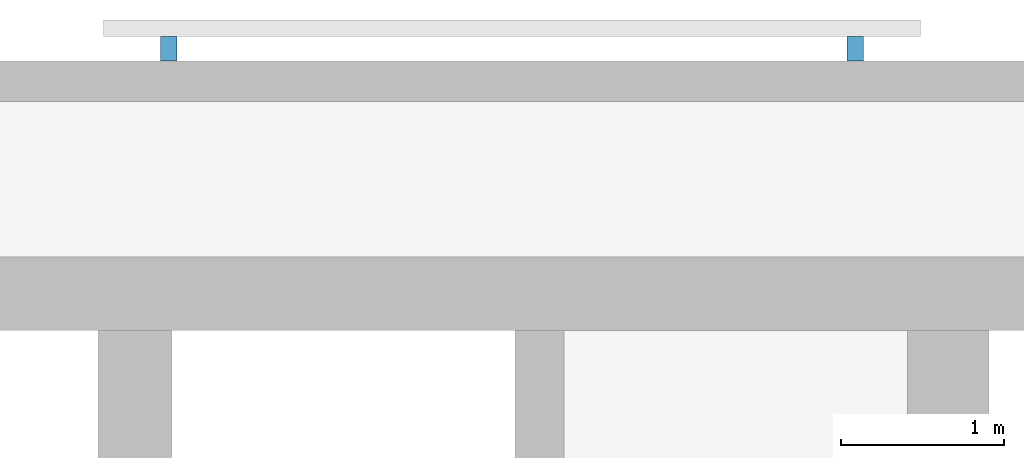
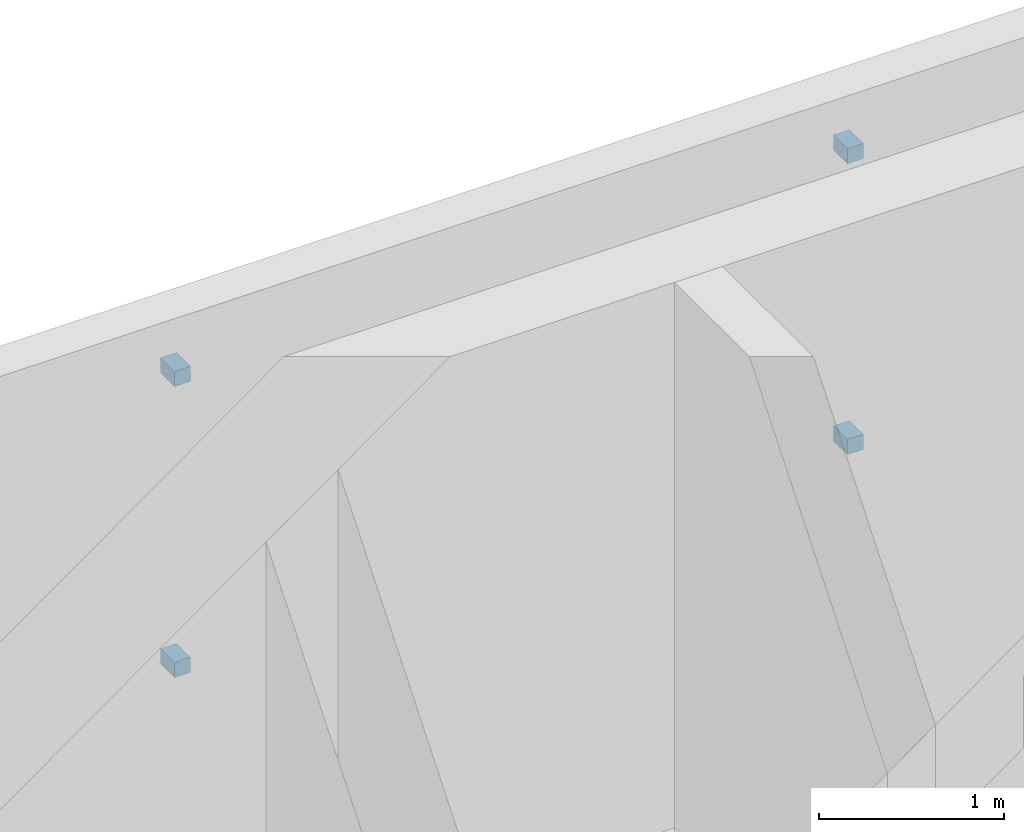
# One storey, part 11 of 14: 4 discrete accessories.
"""IFC4 building model written with IfcOpenShell, lengths in metres."""

from ifc_helpers import new_model, si_unit, direction, frame, origin, origin_2d, place, context, subcontext, project, spatial, rectangle, extrude, material, type_object, element, save


model = new_model("IFC4")

# Units and contexts
model_context = context("Model", 3, precision=1e-05, world=origin(), true_north=direction((0.0, 1.0)))
body_context = subcontext(model_context, "Body", "Model", "MODEL_VIEW")
ifc_project = project(units=[si_unit("LENGTHUNIT", "METRE"), si_unit("AREAUNIT", "SQUARE_METRE"), si_unit("VOLUMEUNIT", "CUBIC_METRE"), si_unit("PLANEANGLEUNIT", "RADIAN"), si_unit("MASSUNIT", "GRAM", prefix="KILO")], contexts=[model_context])

# Site, building, storey
site_placement = place(None, origin())
site = spatial("IfcSite", under=ifc_project, at=site_placement, CompositionType="ELEMENT")
building_placement = place(site_placement, origin())
building = spatial("IfcBuilding", under=site, at=building_placement, Name="Torana Hotel and Residences", CompositionType="ELEMENT")
storey_placement = place(building_placement, frame((0.0, 0.0, 96.0)))
storey = spatial("IfcBuildingStorey", under=building, at=storey_placement, Name="L24", CompositionType="ELEMENT", Elevation=96.0)

# Discrete accessories
ifc_material = material(Name="Steel S355", Category="steel")
discrete_accessory_type = type_object("IfcDiscreteAccessoryType", Name="SCREEN BRACKET 100", PredefinedType="BRACKET", material=ifc_material)
for number, where, z_axis, x_axis, name in (
    (1, (23.681396484375, 1.27490234375, 0.75), (0.0, 0.0, 1.0), (-1.0, 0.0, 0.0), "Screen bracket L24"),
    (2, (23.681396484375, 1.27490234375, 2.669921875), (0.0, 0.0, 1.0), (-1.0, 0.0, 0.0), "Screen bracket L24"),
    (3, (19.4814453125, 1.27490234375, 0.75), (0.0, 0.0, 1.0), (-1.0, 0.0, 0.0), "Screen bracket L24"),
    (4, (19.4814453125, 1.27490234375, 2.669921875), (0.0, 0.0, 1.0), (-1.0, 0.0, 0.0), "Screen bracket L24"),
):
    element("IfcDiscreteAccessory", number, at=place(storey_placement, frame(where, z_axis=z_axis, x_axis=x_axis)), inside=storey, type_object=discrete_accessory_type, Name=name, PredefinedType="BRACKET", context=body_context, shape_type="SweptSolid", body=[
        extrude(rectangle(XDim=0.10009765625, YDim=0.14990234375, at=origin_2d()), origin(), (0.0, 0.0, 1.0), 0.10009765625),
    ])

save(model, "model.ifc")
